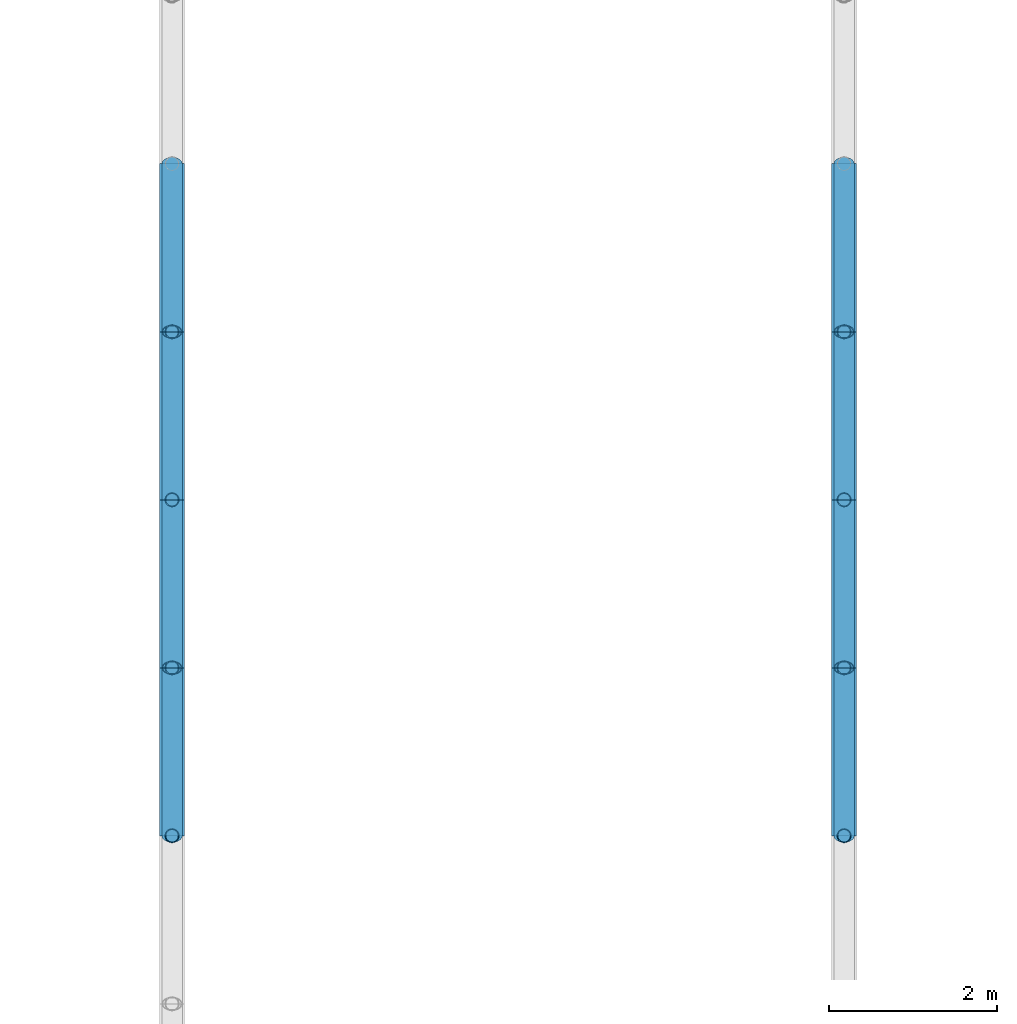
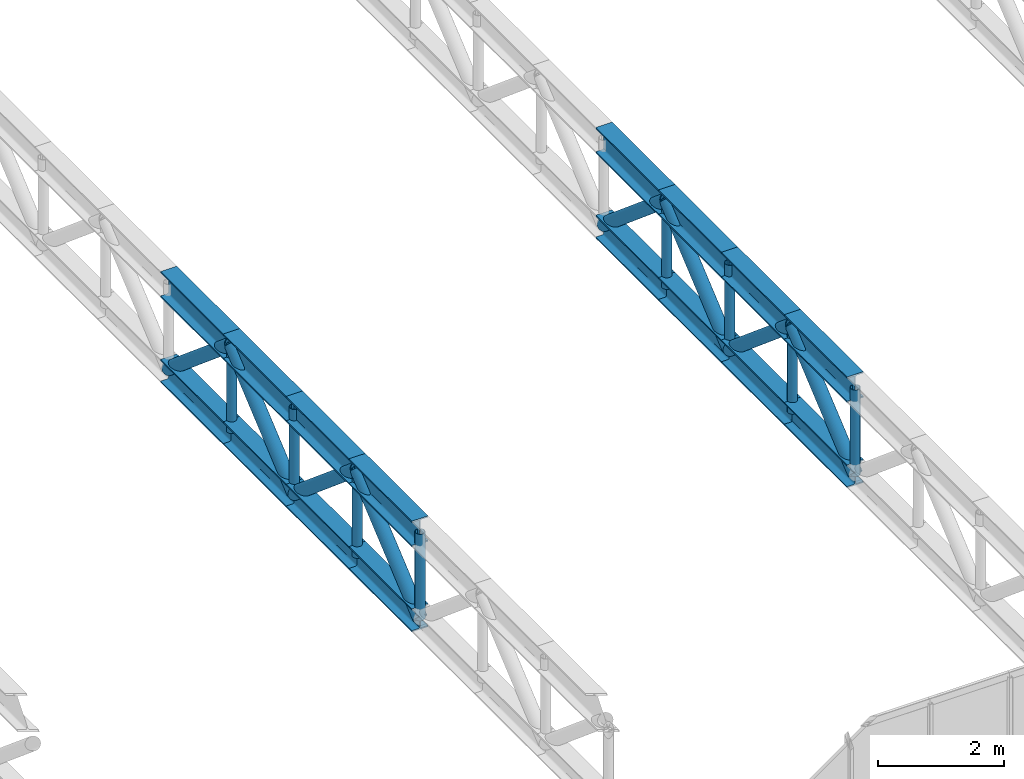
# One storey, part 42 of 143: 32 members.
"""IFC4 building model written with IfcOpenShell, lengths in metres."""

from ifc_helpers import new_model, si_unit, derived_unit, direction, frame, origin, origin_2d, place, context, subcontext, project, spatial, hollow_circle, i_section, extrude, material, material_profile, profile_set, type_object, element, save


model = new_model("IFC4")

# Units and contexts
model_context = context("Model", 3, precision=1e-05, world=origin(), true_north=direction((0.0, 1.0)))
body_context = subcontext(model_context, "Body", "Model", "MODEL_VIEW")
ifc_project = project(units=[si_unit("LENGTHUNIT", "METRE"), si_unit("AREAUNIT", "SQUARE_METRE"), si_unit("VOLUMEUNIT", "CUBIC_METRE"), si_unit("PLANEANGLEUNIT", "RADIAN"), si_unit("MASSUNIT", "GRAM", prefix="KILO"), derived_unit("THERMALTRANSMITTANCEUNIT", [(si_unit("POWERUNIT", "WATT"), 1), (si_unit("LENGTHUNIT", "METRE"), -2), (si_unit("THERMODYNAMICTEMPERATUREUNIT", "KELVIN"), -1)])], contexts=[model_context])

# Site, building, storey
site_placement = place(None, origin())
site = spatial("IfcSite", under=ifc_project, at=site_placement, CompositionType="ELEMENT")
building_placement = place(site_placement, origin())
building = spatial("IfcBuilding", under=site, at=building_placement, Name="Keldorne Ridge Multi-Sports Centre", CompositionType="ELEMENT")
storey_placement = place(building_placement, frame((0.0, 0.0, 4.800048828125)))
storey = spatial("IfcBuildingStorey", under=building, at=storey_placement, Name="L01", CompositionType="ELEMENT", Elevation=4.800048828125)

# Members
ifc_material = material(Name="Steel S355", Category="steel")
ifc_material_profile_1 = material_profile(ifc_material, i_section(OverallWidth=0.300048828125, OverallDepth=0.5, WebThickness=0.014404296875, FlangeThickness=0.028076171875, FilletRadius=0.027099609375, at=origin_2d()), Name="HEB 500")
ifc_profile_set_1 = profile_set([ifc_material_profile_1], Name="Steel S355")
member_type_1 = type_object("IfcMemberType", Name="MEM-TC-03", PredefinedType="CHORD", material=ifc_profile_set_1)
for number, where, z_axis, x_axis, name in (
    (1, (120.0, 14.0, 4.31005859375), (0.0, 1.0, 0.0), (-1.0, 0.0, 0.0), "Stacked Courts Warren TRUSS WT-L02-03 top chord 5"),
    (2, (120.0, 16.0, 4.31005859375), (0.0, 1.0, 0.0), (-1.0, 0.0, 0.0), "Stacked Courts Warren TRUSS WT-L02-03 top chord 6"),
    (3, (120.0, 18.0, 4.31005859375), (0.0, 1.0, 0.0), (-1.0, 0.0, 0.0), "Stacked Courts Warren TRUSS WT-L02-03 top chord 7"),
    (4, (120.0, 20.0, 4.31005859375), (0.0, 1.0, 0.0), (-1.0, 0.0, 0.0), "Stacked Courts Warren TRUSS WT-L02-03 top chord 8"),
    (5, (128.0, 14.0, 4.31005859375), (0.0, 1.0, 0.0), (-1.0, 0.0, 0.0), "Stacked Courts Warren TRUSS WT-L02-04 top chord 5"),
    (6, (128.0, 16.0, 4.31005859375), (0.0, 1.0, 0.0), (-1.0, 0.0, 0.0), "Stacked Courts Warren TRUSS WT-L02-04 top chord 6"),
    (7, (128.0, 18.0, 4.31005859375), (0.0, 1.0, 0.0), (-1.0, 0.0, 0.0), "Stacked Courts Warren TRUSS WT-L02-04 top chord 7"),
    (8, (128.0, 20.0, 4.31005859375), (0.0, 1.0, 0.0), (-1.0, 0.0, 0.0), "Stacked Courts Warren TRUSS WT-L02-04 top chord 8"),
):
    element("IfcMember", number, at=place(storey_placement, frame(where, z_axis=z_axis, x_axis=x_axis)), inside=storey, type_object=member_type_1, Name=name, PredefinedType="CHORD", context=body_context, shape_type="SweptSolid", body=[
        extrude(i_section(OverallWidth=0.300048828125, OverallDepth=0.5, WebThickness=0.014404296875, FlangeThickness=0.028076171875, FilletRadius=0.027099609375, at=origin_2d()), origin(), (0.0, 0.0, 1.0), 2.0),
    ])
ifc_material_profile_2 = material_profile(ifc_material, i_section(OverallWidth=0.300048828125, OverallDepth=0.449951171875, WebThickness=0.013916015625, FlangeThickness=0.02587890625, FilletRadius=0.027099609375, at=origin_2d()), Name="HEB 450")
ifc_profile_set_2 = profile_set([ifc_material_profile_2], Name="Steel S355")
member_type_2 = type_object("IfcMemberType", Name="MEM-TC-04", PredefinedType="CHORD", material=ifc_profile_set_2)
for number, where, z_axis, x_axis, name in (
    (9, (120.0, 14.0, 2.6298828125), (0.0, 1.0, 0.0), (-1.0, 0.0, 0.0), "Stacked Courts Warren TRUSS WT-L02-03 bottom chord 5"),
    (10, (120.0, 16.0, 2.6298828125), (0.0, 1.0, 0.0), (-1.0, 0.0, 0.0), "Stacked Courts Warren TRUSS WT-L02-03 bottom chord 6"),
    (11, (120.0, 18.0, 2.6298828125), (0.0, 1.0, 0.0), (-1.0, 0.0, 0.0), "Stacked Courts Warren TRUSS WT-L02-03 bottom chord 7"),
    (12, (120.0, 20.0, 2.6298828125), (0.0, 1.0, 0.0), (-1.0, 0.0, 0.0), "Stacked Courts Warren TRUSS WT-L02-03 bottom chord 8"),
    (13, (128.0, 14.0, 2.6298828125), (0.0, 1.0, 0.0), (-1.0, 0.0, 0.0), "Stacked Courts Warren TRUSS WT-L02-04 bottom chord 5"),
    (14, (128.0, 16.0, 2.6298828125), (0.0, 1.0, 0.0), (-1.0, 0.0, 0.0), "Stacked Courts Warren TRUSS WT-L02-04 bottom chord 6"),
    (15, (128.0, 18.0, 2.6298828125), (0.0, 1.0, 0.0), (-1.0, 0.0, 0.0), "Stacked Courts Warren TRUSS WT-L02-04 bottom chord 7"),
    (16, (128.0, 20.0, 2.6298828125), (0.0, 1.0, 0.0), (-1.0, 0.0, 0.0), "Stacked Courts Warren TRUSS WT-L02-04 bottom chord 8"),
):
    element("IfcMember", number, at=place(storey_placement, frame(where, z_axis=z_axis, x_axis=x_axis)), inside=storey, type_object=member_type_2, Name=name, PredefinedType="CHORD", context=body_context, shape_type="SweptSolid", body=[
        extrude(i_section(OverallWidth=0.300048828125, OverallDepth=0.449951171875, WebThickness=0.013916015625, FlangeThickness=0.02587890625, FilletRadius=0.027099609375, at=origin_2d()), origin(), (0.0, 0.0, 1.0), 2.0),
    ])
ifc_material_profile_3 = material_profile(ifc_material, hollow_circle(Radius=0.122314453125, WallThickness=0.012451171875, at=origin_2d()), Name="CHS 244.5x12.5")
ifc_profile_set_3 = profile_set([ifc_material_profile_3], Name="Steel S355")
member_type_3 = type_object("IfcMemberType", Name="MEM-TD-02", PredefinedType="BRACE", material=ifc_profile_set_3)
for number, where, z_axis, x_axis, name in (
    (17, (120.0, 14.0, 2.6298828125), (0.0, 0.765671721121, 0.643231541108), (-1.0, 0.0, 0.0), "Stacked Courts Warren TRUSS WT-L02-03 diagonal 5"),
    (18, (120.0, 16.0, 4.31005859375), (0.0, 0.765671721121, -0.643231541108), (-1.0, 0.0, 0.0), "Stacked Courts Warren TRUSS WT-L02-03 diagonal 6"),
    (19, (120.0, 18.0, 2.6298828125), (0.0, 0.765671721121, 0.643231541108), (-1.0, 0.0, 0.0), "Stacked Courts Warren TRUSS WT-L02-03 diagonal 7"),
    (20, (120.0, 20.0, 4.31005859375), (0.0, 0.765671721121, -0.643231541108), (-1.0, 0.0, 0.0), "Stacked Courts Warren TRUSS WT-L02-03 diagonal 8"),
    (21, (128.0, 14.0, 2.6298828125), (0.0, 0.765671721121, 0.643231541108), (-1.0, 0.0, 0.0), "Stacked Courts Warren TRUSS WT-L02-04 diagonal 5"),
    (22, (128.0, 16.0, 4.31005859375), (0.0, 0.765671721121, -0.643231541108), (-1.0, 0.0, 0.0), "Stacked Courts Warren TRUSS WT-L02-04 diagonal 6"),
    (23, (128.0, 18.0, 2.6298828125), (0.0, 0.765671721121, 0.643231541108), (-1.0, 0.0, 0.0), "Stacked Courts Warren TRUSS WT-L02-04 diagonal 7"),
    (24, (128.0, 20.0, 4.31005859375), (0.0, 0.765671721121, -0.643231541108), (-1.0, 0.0, 0.0), "Stacked Courts Warren TRUSS WT-L02-04 diagonal 8"),
):
    element("IfcMember", number, at=place(storey_placement, frame(where, z_axis=z_axis, x_axis=x_axis)), inside=storey, type_object=member_type_3, Name=name, PredefinedType="BRACE", context=body_context, shape_type="SweptSolid", body=[
        extrude(hollow_circle(Radius=0.122314453125, WallThickness=0.012451171875, at=origin_2d()), origin(), (0.0, 0.0, 1.0), 2.612060546875),
    ])
ifc_material_profile_4 = material_profile(ifc_material, hollow_circle(Radius=0.084228515625, WallThickness=0.010009765625, at=origin_2d()), Name="CHS 168.3x10")
ifc_profile_set_4 = profile_set([ifc_material_profile_4], Name="Steel S355")
member_type_4 = type_object("IfcMemberType", Name="MEM-TV-01", PredefinedType="STRUT", material=ifc_profile_set_4)
for number, where, z_axis, x_axis, name in (
    (25, (120.0, 14.0, 2.6298828125), (0.0, 0.0, 1.0), (1.0, 0.0, 0.0), "Stacked Courts Warren TRUSS WT-L02-03 post 5"),
    (26, (120.0, 16.0, 2.6298828125), (0.0, 0.0, 1.0), (1.0, 0.0, 0.0), "Stacked Courts Warren TRUSS WT-L02-03 post 6"),
    (27, (120.0, 18.0, 2.6298828125), (0.0, 0.0, 1.0), (1.0, 0.0, 0.0), "Stacked Courts Warren TRUSS WT-L02-03 post 7"),
    (28, (120.0, 20.0, 2.6298828125), (0.0, 0.0, 1.0), (1.0, 0.0, 0.0), "Stacked Courts Warren TRUSS WT-L02-03 post 8"),
    (29, (128.0, 14.0, 2.6298828125), (0.0, 0.0, 1.0), (1.0, 0.0, 0.0), "Stacked Courts Warren TRUSS WT-L02-04 post 5"),
    (30, (128.0, 16.0, 2.6298828125), (0.0, 0.0, 1.0), (1.0, 0.0, 0.0), "Stacked Courts Warren TRUSS WT-L02-04 post 6"),
    (31, (128.0, 18.0, 2.6298828125), (0.0, 0.0, 1.0), (1.0, 0.0, 0.0), "Stacked Courts Warren TRUSS WT-L02-04 post 7"),
    (32, (128.0, 20.0, 2.6298828125), (0.0, 0.0, 1.0), (1.0, 0.0, 0.0), "Stacked Courts Warren TRUSS WT-L02-04 post 8"),
):
    element("IfcMember", number, at=place(storey_placement, frame(where, z_axis=z_axis, x_axis=x_axis)), inside=storey, type_object=member_type_4, Name=name, PredefinedType="STRUT", context=body_context, shape_type="SweptSolid", body=[
        extrude(hollow_circle(Radius=0.084228515625, WallThickness=0.010009765625, at=origin_2d()), origin(), (0.0, 0.0, 1.0), 1.68017578125),
    ])

save(model, "model.ifc")
